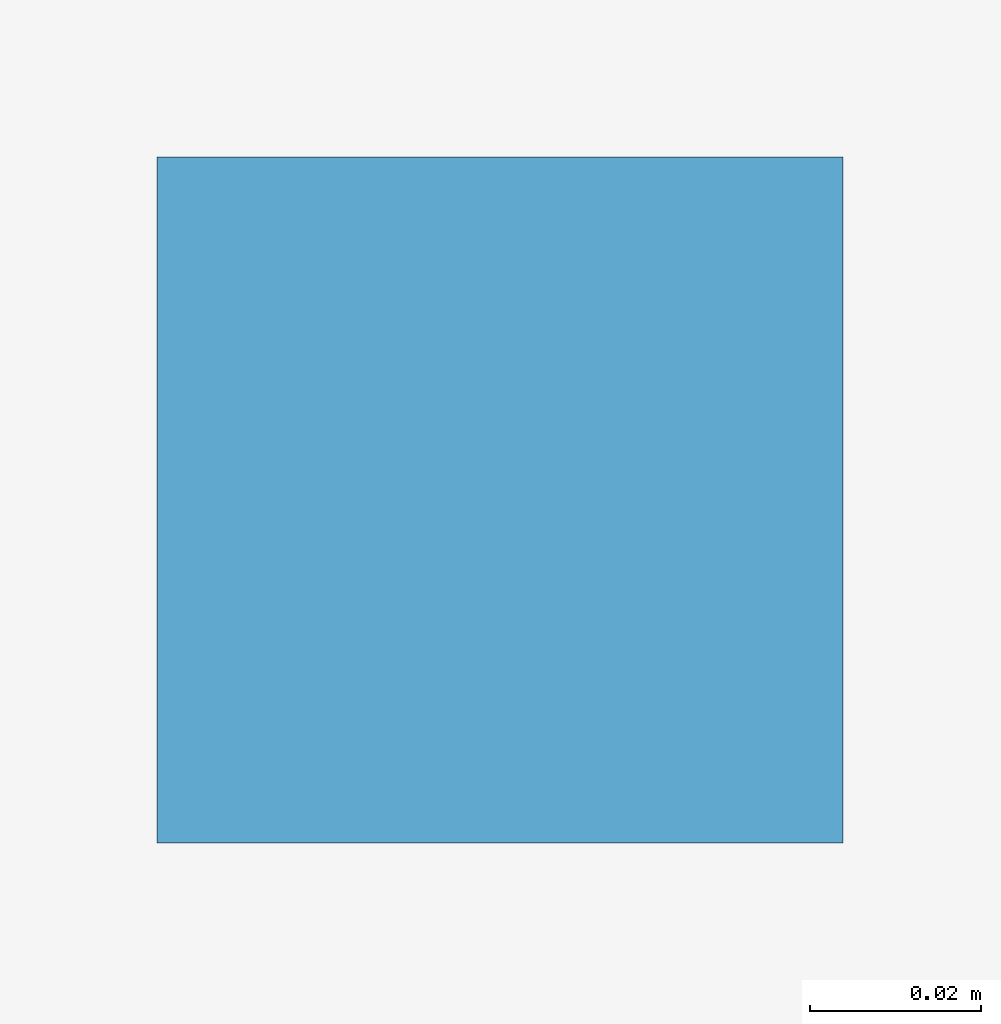
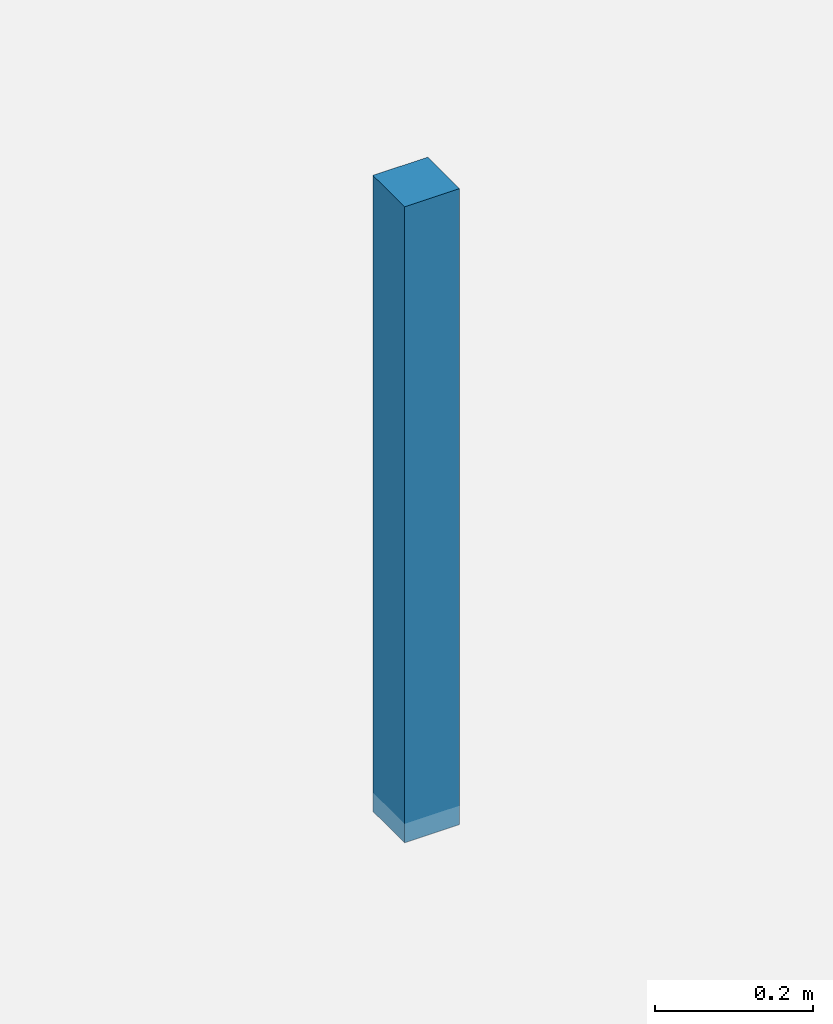
# One storey, part 12 of 17: 1 discrete accessory.
"""IFC4 building model written with IfcOpenShell, lengths in metres."""

from ifc_helpers import new_model, si_unit, direction, frame, origin, origin_2d, place, context, subcontext, project, spatial, rectangle, extrude, source, transform, mapped, material, type_object, element, save


model = new_model("IFC4")

# Units and contexts
model_context = context("Model", 3, precision=1e-05, world=origin(), true_north=direction((0.0, 1.0)))
body_context = subcontext(model_context, "Body", "Model", "MODEL_VIEW")
ifc_project = project(units=[si_unit("LENGTHUNIT", "METRE"), si_unit("AREAUNIT", "SQUARE_METRE"), si_unit("VOLUMEUNIT", "CUBIC_METRE"), si_unit("PLANEANGLEUNIT", "RADIAN"), si_unit("MASSUNIT", "GRAM", prefix="KILO")], contexts=[model_context])

# Site, building, storey
site_placement = place(None, origin())
site = spatial("IfcSite", under=ifc_project, at=site_placement, CompositionType="ELEMENT")
building_placement = place(site_placement, origin())
building = spatial("IfcBuilding", under=site, at=building_placement, Name="Giltprow Tower", CompositionType="ELEMENT")
storey_placement = place(building_placement, frame((0.0, 0.0, 25.39990234375)))
storey = spatial("IfcBuildingStorey", under=building, at=storey_placement, Name="L06", CompositionType="ELEMENT", Elevation=25.39990234375)

# Discrete accessory
ifc_material = material(Name="Structural steel Q355B", Category="steel")
discrete_accessory_type = type_object("IfcDiscreteAccessoryType", Name="ACC-CLG-HANGER", PredefinedType="BRACKET", material=ifc_material)
shared_shape = source(origin(), body_context, "Body", "SweptSolid", [
    extrude(rectangle(XDim=0.080078125, YDim=0.080078125, at=origin_2d()), origin(), (0.0, 0.0, 1.0), 0.97998046875),
])
discrete_accessory_placement = place(storey_placement, frame((25.39990234375, 19.10009765625, 2.72021484375), z_axis=(0.0, 0.0, 1.0), x_axis=(1.0, 0.0, 0.0)))
element("IfcDiscreteAccessory", 1, at=discrete_accessory_placement, inside=storey, type_object=discrete_accessory_type, Name="L06 Office Acoustic Ceiling Suspension Hanger", PredefinedType="BRACKET", context=body_context, shape_type="MappedRepresentation", body=[
    mapped(shared_shape, transform((0.0, 0.0, 0.0), x_axis=(1.0, 0.0, 0.0), y_axis=(0.0, 1.0, 0.0), z_axis=(0.0, 0.0, 1.0), scale=1.0)),
])

save(model, "model.ifc")
